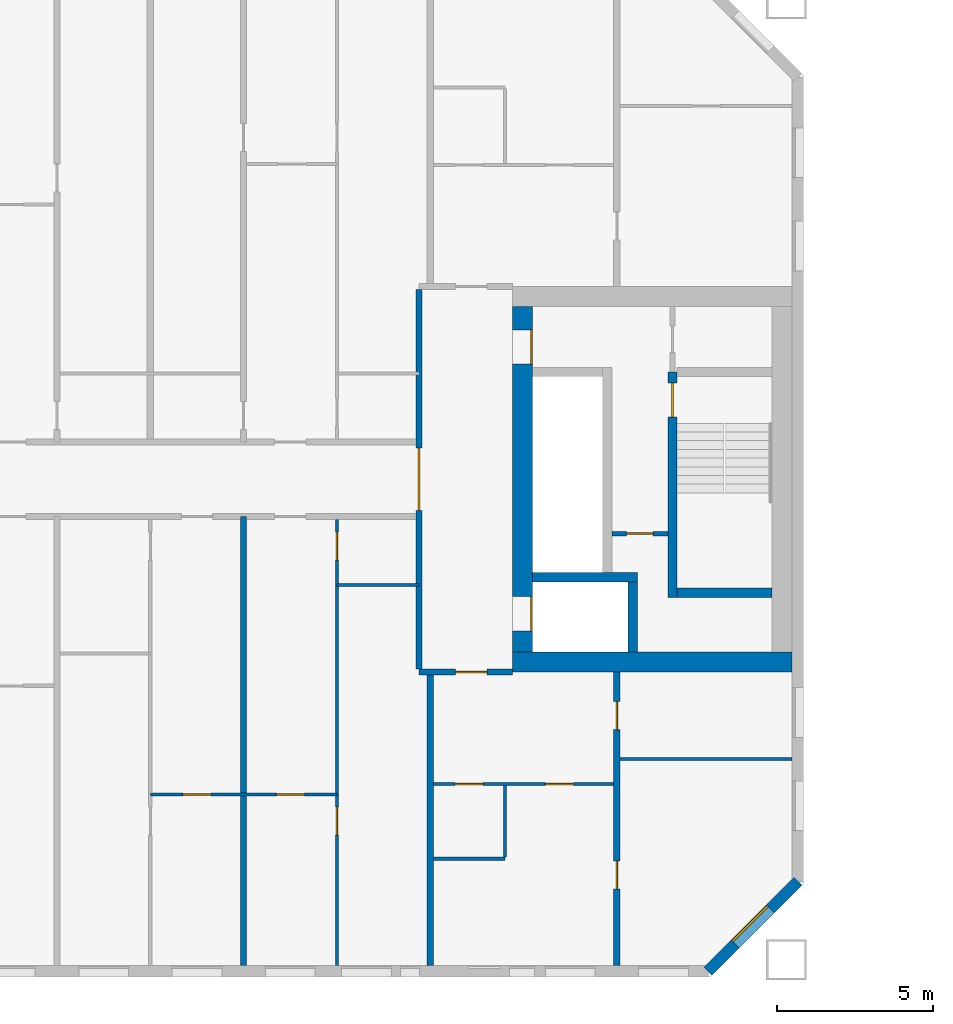
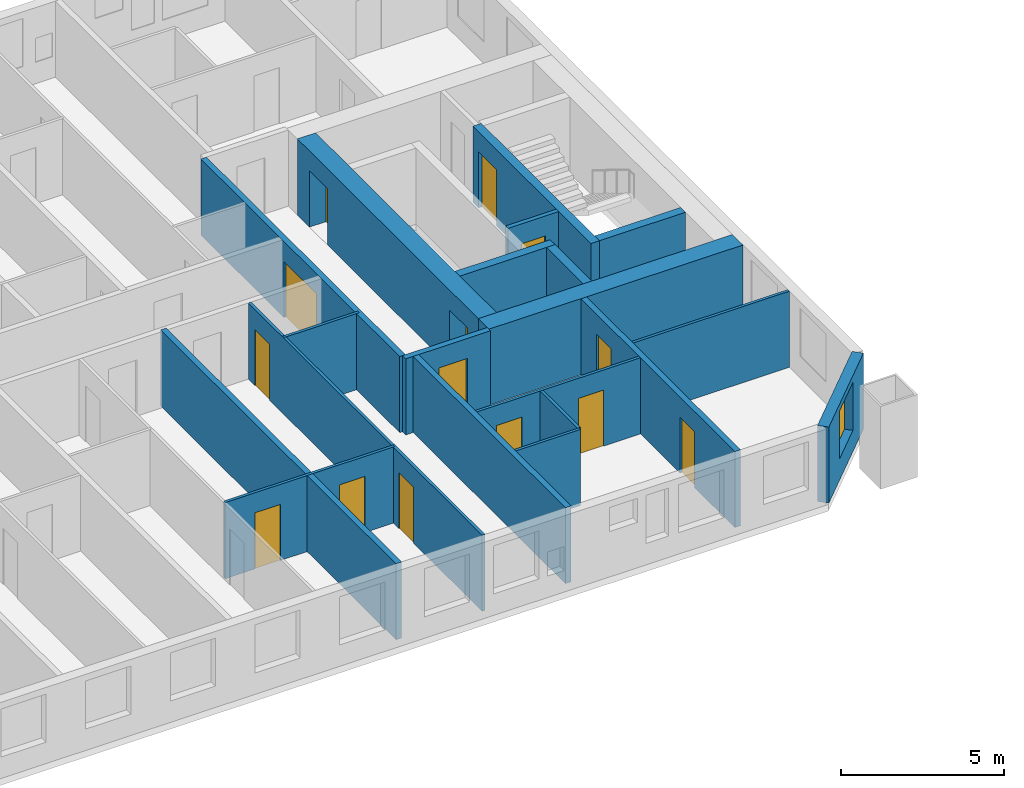
# One storey, part 7 of 17: 20 walls, 14 doors, 1 window, 15 openings.
"""IFC4 building model written with IfcOpenShell, lengths in metres."""

from ifc_helpers import new_model, si_unit, direction, frame, frame_2d, origin, place, context, subcontext, project, spatial, rectangle, extrude, material, layer, layer_set, type_object, element, fill, save


model = new_model("IFC4")

# Units and contexts
model_context = context("Model", 3, precision=1e-05, world=origin(), true_north=direction((0.0, 1.0)))
body_context = subcontext(model_context, "Body", "Model", "MODEL_VIEW")
ifc_project = project(units=[si_unit("LENGTHUNIT", "METRE"), si_unit("AREAUNIT", "SQUARE_METRE"), si_unit("VOLUMEUNIT", "CUBIC_METRE"), si_unit("PLANEANGLEUNIT", "RADIAN"), si_unit("MASSUNIT", "GRAM", prefix="KILO")], contexts=[model_context])

# Site, building, storey
site_placement = place(None, origin())
site = spatial("IfcSite", under=ifc_project, at=site_placement, CompositionType="ELEMENT")
building_placement = place(site_placement, origin())
building = spatial("IfcBuilding", under=site, at=building_placement, Name="Tuart Gate Housing", CompositionType="ELEMENT")
storey_placement = place(building_placement, frame((0.0, 0.0, 102.60009765625)))
storey = spatial("IfcBuildingStorey", under=building, at=storey_placement, Name="L28", CompositionType="ELEMENT", Elevation=102.60009765625)

# Wall, opening, window
ifc_material_1 = material(Name="Brick", Category="masonry")
ifc_layer_1 = layer(ifc_material_1, 0.360107421875)
ifc_layer_set_1 = layer_set([ifc_layer_1], Name="Brick pier and spandrel wall 360")
wall_type_1 = type_object("IfcWallType", Name="Brick pier and spandrel wall 360", PredefinedType="STANDARD", material=ifc_layer_set_1)
wall_1_placement = place(storey_placement, frame((72.92529296875, 54.179931640625, 0.0), z_axis=(0.0, 0.0, 1.0), x_axis=(0.707106781187, 0.707106781187, 0.0)))
wall_1 = element("IfcWall", 1, at=wall_1_placement, inside=storey, type_object=wall_type_1, Name="External wall A-SE L28", PredefinedType="STANDARD", context=body_context, shape_type="SweptSolid", body=[
    extrude(rectangle(XDim=4.09375, YDim=0.360107421875, at=frame_2d((2.046875, 0.0))), origin(), (0.0, 0.0, 1.0), 2.849853515625),
])
opening_1_placement = place(wall_1_placement, frame((1.2470703125, 0.0, 0.800048828125)))
opening_1 = element("IfcOpeningElement", 2, at=opening_1_placement, cuts=wall_1, Name="Opening W1", PredefinedType="OPENING", context=body_context, shape_type="SweptSolid", body=[
    extrude(rectangle(XDim=1.60009765625, YDim=1.800048828125, at=frame_2d((0.800048828125, 0.89990234375))), frame((0.0, 0.18994140625, 0.0), z_axis=(0.0, -1.0, 0.0), x_axis=(1.0, 0.0, 0.0)), (0.0, 0.0, 1.0), 0.380126953125),
])
ifc_material_2 = material(Name="Aluminium frame with clear glass", Category="aluminium")
window_type = type_object("IfcWindowType", Name="Punched window 1600 x 1800", PartitioningType="SINGLE_PANEL", PredefinedType="WINDOW", material=ifc_material_2)
window_placement = place(opening_1_placement, origin())
window = element("IfcWindow", 3, at=window_placement, inside=storey, type_object=window_type, Name="Window W1", OverallHeight=1.800048828125, OverallWidth=1.60009765625, PartitioningType="SINGLE_PANEL", PredefinedType="WINDOW", context=body_context, shape_type="SweptSolid", body=[
    extrude(rectangle(XDim=1.60009765625, YDim=1.800048828125, at=frame_2d((0.800048828125, 0.89990234375))), frame((0.0, 0.150146484375, 0.0), z_axis=(0.0, -1.0, 0.0), x_axis=(1.0, 0.0, 0.0)), (0.0, 0.0, 1.0), 0.06005859375),
])
fill(opening_1, window)

# Wall, opening, door
ifc_material_3 = material(Name="Plasterboard partition")
ifc_layer_2 = layer(ifc_material_3, 0.14990234375)
ifc_layer_set_2 = layer_set([ifc_layer_2], Name="Core partition 150")
wall_type_2 = type_object("IfcWallType", Name="Core partition 150", PredefinedType="PARTITIONING", material=ifc_layer_set_2)
wall_2_placement = place(storey_placement, frame((69.840087890625, 68.25, 0.0), z_axis=(0.0, 0.0, 1.0), x_axis=(1.0, 0.0, 0.0)))
wall_2 = element("IfcWall", 4, at=wall_2_placement, inside=storey, type_object=wall_type_2, Name="Core partition AG.3", PredefinedType="PARTITIONING", context=body_context, shape_type="SweptSolid", body=[
    extrude(rectangle(XDim=1.7998046875, YDim=0.14990234375, at=frame_2d((0.89990234375, 0.0))), origin(), (0.0, 0.0, 1.0), 2.849853515625),
])
opening_2_placement = place(wall_2_placement, frame((0.47509765625, 0.0, 0.0)))
opening_2 = element("IfcOpeningElement", 5, at=opening_2_placement, cuts=wall_2, Name="Opening D1102", PredefinedType="OPENING", context=body_context, shape_type="SweptSolid", body=[
    extrude(rectangle(XDim=0.85009765625, YDim=2.10009765625, at=frame_2d((0.425048828125, 1.050048828125))), frame((0.0, 0.0849609375, 0.0), z_axis=(0.0, -1.0, 0.0), x_axis=(1.0, 0.0, 0.0)), (0.0, 0.0, 1.0), 0.169921875),
])
ifc_material_4 = material(Name="Steel fire door", Category="steel")
door_type_1 = type_object("IfcDoorType", Name="Riser door 850 x 2100 RH", OperationType="SINGLE_SWING_RIGHT", PredefinedType="DOOR", material=ifc_material_4)
door_1_placement = place(opening_2_placement, frame((0.85009765625, 0.0, 0.0), z_axis=(0.0, 0.0, 1.0), x_axis=(-1.0, 0.0, 0.0)))
door_1 = element("IfcDoor", 6, at=door_1_placement, inside=storey, type_object=door_type_1, Name="Service room door AG.E1", OperationType="SINGLE_SWING_RIGHT", OverallHeight=2.10009765625, OverallWidth=0.85009765625, PredefinedType="DOOR", context=body_context, shape_type="SweptSolid", body=[
    extrude(rectangle(XDim=0.85009765625, YDim=2.10009765625, at=frame_2d((0.425048828125, 1.050048828125))), frame((0.0, 0.025146484375, 0.0), z_axis=(0.0, -1.0, 0.0), x_axis=(1.0, 0.0, 0.0)), (0.0, 0.0, 1.0), 0.050048828125),
])
fill(opening_2, door_1)

# Walls
ifc_material_5 = material(Name="Concrete C50", Category="concrete")
ifc_layer_3 = layer(ifc_material_5, 0.300048828125)
ifc_layer_set_3 = layer_set([ifc_layer_3], Name="Core wall 300 C50")
wall_type_3 = type_object("IfcWallType", Name="Core wall 300 C50", PredefinedType="SHEAR", material=ifc_layer_set_3)
wall_3_placement = place(storey_placement, frame((71.93994140625, 66.35009765625, 0.0), z_axis=(0.0, 0.0, 1.0), x_axis=(1.0, 0.0, 0.0)))
element("IfcWall", 7, at=wall_3_placement, inside=storey, type_object=wall_type_3, Name="Core wall AG.1", PredefinedType="SHEAR", context=body_context, shape_type="SweptSolid", body=[
    extrude(rectangle(XDim=3.050048828125, YDim=0.300048828125, at=frame_2d((1.52490234375, 0.0))), origin(), (0.0, 0.0, 1.0), 2.849853515625),
])
wall_4_placement = place(storey_placement, frame((67.2900390625, 66.85009765625, 0.0), z_axis=(0.0, 0.0, 1.0), x_axis=(1.0, 0.0, 0.0)))
element("IfcWall", 8, at=wall_4_placement, inside=storey, type_object=wall_type_3, Name="Core wall AG.2", PredefinedType="SHEAR", context=body_context, shape_type="SweptSolid", body=[
    extrude(rectangle(XDim=3.369873046875, YDim=0.300048828125, at=frame_2d((1.68505859375, 0.0))), origin(), (0.0, 0.0, 1.0), 2.849853515625),
])
wall_5_placement = place(storey_placement, frame((70.510009765625, 64.449951171875, 0.0), z_axis=(0.0, 0.0, 1.0), x_axis=(0.0, 1.0, 0.0)))
element("IfcWall", 9, at=wall_5_placement, inside=storey, type_object=wall_type_3, Name="Core wall AG.7", PredefinedType="SHEAR", context=body_context, shape_type="SweptSolid", body=[
    extrude(rectangle(XDim=2.25, YDim=0.300048828125, at=frame_2d((1.125, 0.0))), origin(), (0.0, 0.0, 1.0), 2.849853515625),
])

# Wall, opening, door
wall_6_placement = place(storey_placement, frame((71.7900390625, 66.199951171875, 0.0), z_axis=(0.0, 0.0, 1.0), x_axis=(0.0, 1.0, 0.0)))
wall_6 = element("IfcWall", 10, at=wall_6_placement, inside=storey, type_object=wall_type_3, Name="Core wall AG.8", PredefinedType="SHEAR", context=body_context, shape_type="SweptSolid", body=[
    extrude(rectangle(XDim=7.25, YDim=0.300048828125, at=frame_2d((3.625, 0.0))), origin(), (0.0, 0.0, 1.0), 2.849853515625),
])
opening_3_placement = place(wall_6_placement, frame((5.800048828125, 0.0, 0.0)))
opening_3 = element("IfcOpeningElement", 11, at=opening_3_placement, cuts=wall_6, Name="Opening D1098", PredefinedType="OPENING", context=body_context, shape_type="SweptSolid", body=[
    extrude(rectangle(XDim=1.10009765625, YDim=2.10009765625, at=frame_2d((0.550048828125, 1.050048828125))), frame((0.0, 0.159912109375, 0.0), z_axis=(0.0, -1.0, 0.0), x_axis=(1.0, 0.0, 0.0)), (0.0, 0.0, 1.0), 0.320068359375),
])
ifc_material_6 = material(Name="Steel fire door", Category="steel")
door_type_2 = type_object("IfcDoorType", Name="Stair door 1100 x 2100", OperationType="SINGLE_SWING_LEFT", PredefinedType="DOOR", material=ifc_material_6)
door_2_placement = place(opening_3_placement, frame((1.10009765625, 0.0, 0.0), z_axis=(0.0, 0.0, 1.0), x_axis=(-1.0, 0.0, 0.0)))
door_2 = element("IfcDoor", 12, at=door_2_placement, inside=storey, type_object=door_type_2, Name="Stair door AG.SD", OperationType="SINGLE_SWING_LEFT", OverallHeight=2.10009765625, OverallWidth=1.10009765625, PredefinedType="DOOR", context=body_context, shape_type="SweptSolid", body=[
    extrude(rectangle(XDim=1.10009765625, YDim=2.10009765625, at=frame_2d((0.550048828125, 1.050048828125))), frame((0.0, 0.025146484375, 0.0), z_axis=(0.0, -1.0, 0.0), x_axis=(1.0, 0.0, 0.0)), (0.0, 0.0, 1.0), 0.050048828125),
])
fill(opening_3, door_2)

# Wall, openings, doors
ifc_material_7 = material(Name="Concrete C50", Category="concrete")
ifc_layer_4 = layer(ifc_material_7, 0.64990234375)
ifc_layer_set_4 = layer_set([ifc_layer_4], Name="Core wall 650 C50")
wall_type_4 = type_object("IfcWallType", Name="Core wall 650 C50", PredefinedType="SHEAR", material=ifc_layer_set_4)
wall_7_placement = place(storey_placement, frame((66.965087890625, 64.449951171875, 0.0), z_axis=(0.0, 0.0, 1.0), x_axis=(0.0, 1.0, 0.0)))
wall_7 = element("IfcWall", 13, at=wall_7_placement, inside=storey, type_object=wall_type_4, Name="Core wall AG front", PredefinedType="SHEAR", context=body_context, shape_type="SweptSolid", body=[
    extrude(rectangle(XDim=11.10009765625, YDim=0.64990234375, at=frame_2d((5.550048828125, 0.0))), origin(), (0.0, 0.0, 1.0), 2.849853515625),
])
opening_4_placement = place(wall_7_placement, frame((0.675048828125, 0.0, 0.0)))
opening_4 = element("IfcOpeningElement", 14, at=opening_4_placement, cuts=wall_7, Name="Opening LD-FA1", PredefinedType="OPENING", context=body_context, shape_type="SweptSolid", body=[
    extrude(rectangle(XDim=1.10009765625, YDim=2.10009765625, at=frame_2d((0.550048828125, 1.050048828125))), frame((0.0, 0.3349609375, 0.0), z_axis=(0.0, -1.0, 0.0), x_axis=(1.0, 0.0, 0.0)), (0.0, 0.0, 1.0), 0.669921875),
])
opening_5_placement = place(wall_7_placement, frame((9.25, 0.0, 0.0)))
opening_5 = element("IfcOpeningElement", 15, at=opening_5_placement, cuts=wall_7, Name="Opening D1097", PredefinedType="OPENING", context=body_context, shape_type="SweptSolid", body=[
    extrude(rectangle(XDim=1.10009765625, YDim=2.10009765625, at=frame_2d((0.550048828125, 1.050048828125))), frame((0.0, 0.3349609375, 0.0), z_axis=(0.0, -1.0, 0.0), x_axis=(1.0, 0.0, 0.0)), (0.0, 0.0, 1.0), 0.669921875),
])
ifc_material_8 = material(Name="Stainless steel", Category="steel")
door_type_3 = type_object("IfcDoorType", Name="Landing door 1100 x 2100", OperationType="DOUBLE_DOOR_SLIDING", PredefinedType="DOOR", material=ifc_material_8)
door_3_placement = place(opening_4_placement, origin())
door_3 = element("IfcDoor", 16, at=door_3_placement, inside=storey, type_object=door_type_3, Name="Lift landing door FA1", OperationType="DOUBLE_DOOR_SLIDING", OverallHeight=2.10009765625, OverallWidth=1.10009765625, PredefinedType="DOOR", context=body_context, shape_type="SweptSolid", body=[
    extrude(rectangle(XDim=1.10009765625, YDim=2.10009765625, at=frame_2d((0.550048828125, 1.050048828125))), frame((0.0, -0.259765625, 0.0), z_axis=(0.0, -1.0, 0.0), x_axis=(1.0, 0.0, 0.0)), (0.0, 0.0, 1.0), 0.050048828125),
])
fill(opening_4, door_3)
ifc_material_9 = material(Name="Steel fire door", Category="steel")
door_type_4 = type_object("IfcDoorType", Name="Lobby door 1100 x 2100 RH", OperationType="SINGLE_SWING_RIGHT", PredefinedType="DOOR", material=ifc_material_9)
door_4_placement = place(opening_5_placement, frame((1.10009765625, 0.0, 0.0), z_axis=(0.0, 0.0, 1.0), x_axis=(-1.0, 0.0, 0.0)))
door_4 = element("IfcDoor", 17, at=door_4_placement, inside=storey, type_object=door_type_4, Name="Lobby entry door AG.EN", OperationType="SINGLE_SWING_RIGHT", OverallHeight=2.10009765625, OverallWidth=1.10009765625, PredefinedType="DOOR", context=body_context, shape_type="SweptSolid", body=[
    extrude(rectangle(XDim=1.10009765625, YDim=2.10009765625, at=frame_2d((0.550048828125, 1.050048828125))), frame((0.0, 0.309814453125, 0.0), z_axis=(0.0, -1.0, 0.0), x_axis=(1.0, 0.0, 0.0)), (0.0, 0.0, 1.0), 0.050048828125),
])
fill(opening_5, door_4)

# Wall
wall_8_placement = place(storey_placement, frame((66.639892578125, 64.125, 0.0), z_axis=(0.0, 0.0, 1.0), x_axis=(1.0, 0.0, 0.0)))
element("IfcWall", 18, at=wall_8_placement, inside=storey, type_object=wall_type_4, Name="Core wall AG south", PredefinedType="SHEAR", context=body_context, shape_type="SweptSolid", body=[
    extrude(rectangle(XDim=9.0, YDim=0.64990234375, at=frame_2d((4.5, 0.0))), origin(), (0.0, 0.0, 1.0), 2.849853515625),
])

# Wall, opening, door
ifc_material_10 = material(Name="Concrete masonry 15 MPa", Category="masonry")
ifc_layer_5 = layer(ifc_material_10, 0.199951171875)
ifc_layer_set_5 = layer_set([ifc_layer_5], Name="Enclosure wall masonry 200")
wall_type_5 = type_object("IfcWallType", Name="Enclosure wall masonry 200", PredefinedType="PARTITIONING", material=ifc_layer_set_5)
wall_9_placement = place(storey_placement, frame((63.639892578125, 63.800048828125, 0.0), z_axis=(0.0, 0.0, 1.0), x_axis=(1.0, 0.0, 0.0)))
wall_9 = element("IfcWall", 19, at=wall_9_placement, inside=storey, type_object=wall_type_5, Name="Enclosure wall masonry 200", PredefinedType="PARTITIONING", context=body_context, shape_type="SweptSolid", body=[
    extrude(rectangle(XDim=3.0, YDim=0.199951171875, at=frame_2d((1.5, 0.0))), origin(), (0.0, 0.0, 1.0), 2.849853515625),
])
opening_6_placement = place(wall_9_placement, frame((1.179931640625, 0.0, 0.0)))
opening_6 = element("IfcOpeningElement", 20, at=opening_6_placement, cuts=wall_9, Name="Opening D1105", PredefinedType="OPENING", context=body_context, shape_type="SweptSolid", body=[
    extrude(rectangle(XDim=1.0, YDim=2.10009765625, at=frame_2d((0.5, 1.050048828125))), frame((0.0, 0.10986328125, 0.0), z_axis=(0.0, -1.0, 0.0), x_axis=(1.0, 0.0, 0.0)), (0.0, 0.0, 1.0), 0.219970703125),
])
ifc_material_11 = material(Name="Timber door leaf in steel frame", Category="steel")
door_type_5 = type_object("IfcDoorType", Name="Flat entrance door 1000 RH", OperationType="SINGLE_SWING_RIGHT", PredefinedType="DOOR", material=ifc_material_11)
door_5_placement = place(opening_6_placement, frame((1.0, 0.0, 0.0), z_axis=(0.0, 0.0, 1.0), x_axis=(-1.0, 0.0, 0.0)))
door_5 = element("IfcDoor", 21, at=door_5_placement, inside=storey, type_object=door_type_5, Name="Flat entrance door", OperationType="SINGLE_SWING_RIGHT", OverallHeight=2.10009765625, OverallWidth=1.0, PredefinedType="DOOR", context=body_context, shape_type="SweptSolid", body=[
    extrude(rectangle(XDim=1.0, YDim=2.10009765625, at=frame_2d((0.5, 1.050048828125))), frame((0.0, 0.025146484375, 0.0), z_axis=(0.0, -1.0, 0.0), x_axis=(1.0, 0.0, 0.0)), (0.0, 0.0, 1.0), 0.050048828125),
])
fill(opening_6, door_5)

ifc_material_12 = material(Name="Plasterboard partition")
ifc_layer_6 = layer(ifc_material_12, 0.199951171875)
ifc_layer_set_6 = layer_set([ifc_layer_6], Name="Lobby wall 200")
wall_type_6 = type_object("IfcWallType", Name="Lobby wall 200", PredefinedType="PARTITIONING", material=ifc_layer_set_6)
wall_10_placement = place(storey_placement, frame((63.639892578125, 63.89990234375, 0.0), z_axis=(0.0, 0.0, 1.0), x_axis=(0.0, 1.0, 0.0)))
wall_10 = element("IfcWall", 22, at=wall_10_placement, inside=storey, type_object=wall_type_6, Name="Lift lobby wall AG", PredefinedType="PARTITIONING", context=body_context, shape_type="SweptSolid", body=[
    extrude(rectangle(XDim=12.2001953125, YDim=0.199951171875, at=frame_2d((6.10009765625, 0.0))), origin(), (0.0, 0.0, 1.0), 2.849853515625),
])
opening_7_placement = place(wall_10_placement, frame((5.10009765625, 0.0, 0.0)))
opening_7 = element("IfcOpeningElement", 23, at=opening_7_placement, cuts=wall_10, Name="Opening D1096", PredefinedType="OPENING", context=body_context, shape_type="SweptSolid", body=[
    extrude(rectangle(XDim=2.0, YDim=2.10009765625, at=frame_2d((1.0, 1.050048828125))), frame((0.0, 0.10986328125, 0.0), z_axis=(0.0, -1.0, 0.0), x_axis=(1.0, 0.0, 0.0)), (0.0, 0.0, 1.0), 0.219970703125),
])
ifc_material_13 = material(Name="Steel fire door", Category="steel")
door_type_6 = type_object("IfcDoorType", Name="Smoke door 2000 x 2100", OperationType="DOUBLE_DOOR_SINGLE_SWING", PredefinedType="DOOR", material=ifc_material_13)
door_6_placement = place(opening_7_placement, frame((2.0, 0.0, 0.0), z_axis=(0.0, 0.0, 1.0), x_axis=(-1.0, 0.0, 0.0)))
door_6 = element("IfcDoor", 24, at=door_6_placement, inside=storey, type_object=door_type_6, Name="Lift lobby smoke door AG", OperationType="DOUBLE_DOOR_SINGLE_SWING", OverallHeight=2.10009765625, OverallWidth=2.0, PredefinedType="DOOR", context=body_context, shape_type="SweptSolid", body=[
    extrude(rectangle(XDim=2.0, YDim=2.10009765625, at=frame_2d((1.0, 1.050048828125))), frame((0.0, 0.025146484375, 0.0), z_axis=(0.0, -1.0, 0.0), x_axis=(1.0, 0.0, 0.0)), (0.0, 0.0, 1.0), 0.050048828125),
])
fill(opening_7, door_6)

# Wall
ifc_material_14 = material(Name="Gypsum board on steel studs", Category="steel")
ifc_layer_7 = layer(ifc_material_14, 0.10009765625)
ifc_layer_set_7 = layer_set([ifc_layer_7], Name="Partition 100")
wall_type_7 = type_object("IfcWallType", Name="Partition 100", PredefinedType="PARTITIONING", material=ifc_layer_set_7)
wall_11_placement = place(storey_placement, frame((64.10009765625, 57.800048828125, 0.0), z_axis=(0.0, 0.0, 1.0), x_axis=(1.0, 0.0, 0.0)))
element("IfcWall", 25, at=wall_11_placement, inside=storey, type_object=wall_type_7, Name="Partition 100", PredefinedType="PARTITIONING", context=body_context, shape_type="SweptSolid", body=[
    extrude(rectangle(XDim=2.2998046875, YDim=0.10009765625, at=frame_2d((1.14990234375, 0.0))), origin(), (0.0, 0.0, 1.0), 2.849853515625),
])

# Wall, openings, doors
wall_12_placement = place(storey_placement, frame((55.0, 59.860107421875, 0.0), z_axis=(0.0, 0.0, 1.0), x_axis=(1.0, 0.0, 0.0)))
wall_12 = element("IfcWall", 26, at=wall_12_placement, inside=storey, type_object=wall_type_7, Name="Partition 100", PredefinedType="PARTITIONING", context=body_context, shape_type="SweptSolid", body=[
    extrude(rectangle(XDim=6.0, YDim=0.10009765625, at=frame_2d((3.0, 0.0))), origin(), (0.0, 0.0, 1.0), 2.849853515625),
])
opening_8_placement = place(wall_12_placement, frame((4.050048828125, 0.0, 0.0)))
opening_8 = element("IfcOpeningElement", 27, at=opening_8_placement, cuts=wall_12, Name="Opening D1119", PredefinedType="OPENING", context=body_context, shape_type="SweptSolid", body=[
    extrude(rectangle(XDim=0.89990234375, YDim=2.10009765625, at=frame_2d((0.449951171875, 1.050048828125))), frame((0.0, 0.06005859375, 0.0), z_axis=(0.0, -1.0, 0.0), x_axis=(1.0, 0.0, 0.0)), (0.0, 0.0, 1.0), 0.1201171875),
])
opening_9_placement = place(wall_12_placement, frame((1.050048828125, 0.0, 0.0)))
opening_9 = element("IfcOpeningElement", 28, at=opening_9_placement, cuts=wall_12, Name="Opening D1120", PredefinedType="OPENING", context=body_context, shape_type="SweptSolid", body=[
    extrude(rectangle(XDim=0.89990234375, YDim=2.10009765625, at=frame_2d((0.449951171875, 1.050048828125))), frame((0.0, 0.06005859375, 0.0), z_axis=(0.0, -1.0, 0.0), x_axis=(1.0, 0.0, 0.0)), (0.0, 0.0, 1.0), 0.1201171875),
])
ifc_material_15 = material(Name="Timber door leaf in steel frame", Category="steel")
door_type_7 = type_object("IfcDoorType", Name="Internal door 900", OperationType="SINGLE_SWING_LEFT", PredefinedType="DOOR", material=ifc_material_15)
door_7_placement = place(opening_8_placement, origin())
door_7 = element("IfcDoor", 29, at=door_7_placement, inside=storey, type_object=door_type_7, Name="Internal door", OperationType="SINGLE_SWING_LEFT", OverallHeight=2.10009765625, OverallWidth=0.89990234375, PredefinedType="DOOR", context=body_context, shape_type="SweptSolid", body=[
    extrude(rectangle(XDim=0.89990234375, YDim=2.10009765625, at=frame_2d((0.449951171875, 1.050048828125))), frame((0.0, 0.02490234375, 0.0), z_axis=(0.0, -1.0, 0.0), x_axis=(1.0, 0.0, 0.0)), (0.0, 0.0, 1.0), 0.050048828125),
])
fill(opening_8, door_7)
door_8_placement = place(opening_9_placement, origin())
door_8 = element("IfcDoor", 30, at=door_8_placement, inside=storey, type_object=door_type_7, Name="Internal door", OperationType="SINGLE_SWING_LEFT", OverallHeight=2.10009765625, OverallWidth=0.89990234375, PredefinedType="DOOR", context=body_context, shape_type="SweptSolid", body=[
    extrude(rectangle(XDim=0.89990234375, YDim=2.10009765625, at=frame_2d((0.449951171875, 1.050048828125))), frame((0.0, 0.02490234375, 0.0), z_axis=(0.0, -1.0, 0.0), x_axis=(1.0, 0.0, 0.0)), (0.0, 0.0, 1.0), 0.050048828125),
])
fill(opening_9, door_8)

wall_13_placement = place(storey_placement, frame((64.10009765625, 60.199951171875, 0.0), z_axis=(0.0, 0.0, 1.0), x_axis=(1.0, 0.0, 0.0)))
wall_13 = element("IfcWall", 31, at=wall_13_placement, inside=storey, type_object=wall_type_7, Name="Partition 100", PredefinedType="PARTITIONING", context=body_context, shape_type="SweptSolid", body=[
    extrude(rectangle(XDim=5.7998046875, YDim=0.10009765625, at=frame_2d((2.89990234375, 0.0))), origin(), (0.0, 0.0, 1.0), 2.849853515625),
])
opening_10_placement = place(wall_13_placement, frame((3.60009765625, 0.0, 0.0)))
opening_10 = element("IfcOpeningElement", 32, at=opening_10_placement, cuts=wall_13, Name="Opening D1117", PredefinedType="OPENING", context=body_context, shape_type="SweptSolid", body=[
    extrude(rectangle(XDim=0.89990234375, YDim=2.10009765625, at=frame_2d((0.449951171875, 1.050048828125))), frame((0.0, 0.06005859375, 0.0), z_axis=(0.0, -1.0, 0.0), x_axis=(1.0, 0.0, 0.0)), (0.0, 0.0, 1.0), 0.1201171875),
])
opening_11_placement = place(wall_13_placement, frame((0.699951171875, 0.0, 0.0)))
opening_11 = element("IfcOpeningElement", 33, at=opening_11_placement, cuts=wall_13, Name="Opening D1116", PredefinedType="OPENING", context=body_context, shape_type="SweptSolid", body=[
    extrude(rectangle(XDim=0.89990234375, YDim=2.10009765625, at=frame_2d((0.449951171875, 1.050048828125))), frame((0.0, 0.06005859375, 0.0), z_axis=(0.0, -1.0, 0.0), x_axis=(1.0, 0.0, 0.0)), (0.0, 0.0, 1.0), 0.1201171875),
])
ifc_material_16 = material(Name="Timber door leaf in steel frame", Category="steel")
door_type_8 = type_object("IfcDoorType", Name="Bathroom door 900", OperationType="SINGLE_SWING_LEFT", PredefinedType="DOOR", material=ifc_material_16)
door_9_placement = place(opening_11_placement, frame((0.89990234375, 0.0, 0.0), z_axis=(0.0, 0.0, 1.0), x_axis=(-1.0, 0.0, 0.0)))
door_9 = element("IfcDoor", 34, at=door_9_placement, inside=storey, type_object=door_type_8, Name="Bathroom door", OperationType="SINGLE_SWING_LEFT", OverallHeight=2.10009765625, OverallWidth=0.89990234375, PredefinedType="DOOR", context=body_context, shape_type="SweptSolid", body=[
    extrude(rectangle(XDim=0.89990234375, YDim=2.10009765625, at=frame_2d((0.449951171875, 1.050048828125))), frame((0.0, 0.025146484375, 0.0), z_axis=(0.0, -1.0, 0.0), x_axis=(1.0, 0.0, 0.0)), (0.0, 0.0, 1.0), 0.050048828125),
])
fill(opening_11, door_9)
ifc_material_17 = material(Name="Timber door leaf in steel frame", Category="steel")
door_type_9 = type_object("IfcDoorType", Name="Internal door 900 RH", OperationType="SINGLE_SWING_RIGHT", PredefinedType="DOOR", material=ifc_material_17)
door_10_placement = place(opening_10_placement, origin())
door_10 = element("IfcDoor", 35, at=door_10_placement, inside=storey, type_object=door_type_9, Name="Internal door", OperationType="SINGLE_SWING_RIGHT", OverallHeight=2.10009765625, OverallWidth=0.89990234375, PredefinedType="DOOR", context=body_context, shape_type="SweptSolid", body=[
    extrude(rectangle(XDim=0.89990234375, YDim=2.10009765625, at=frame_2d((0.449951171875, 1.050048828125))), frame((0.0, 0.02490234375, 0.0), z_axis=(0.0, -1.0, 0.0), x_axis=(1.0, 0.0, 0.0)), (0.0, 0.0, 1.0), 0.050048828125),
])
fill(opening_10, door_10)

# Walls
wall_14_placement = place(storey_placement, frame((70.10009765625, 61.0, 0.0), z_axis=(0.0, 0.0, 1.0), x_axis=(1.0, 0.0, 0.0)))
element("IfcWall", 36, at=wall_14_placement, inside=storey, type_object=wall_type_7, Name="Partition 100", PredefinedType="PARTITIONING", context=body_context, shape_type="SweptSolid", body=[
    extrude(rectangle(XDim=5.539794921875, YDim=0.10009765625, at=frame_2d((2.77001953125, 0.0))), origin(), (0.0, 0.0, 1.0), 2.849853515625),
])
wall_15_placement = place(storey_placement, frame((61.0, 66.60009765625, 0.0), z_axis=(0.0, 0.0, 1.0), x_axis=(1.0, 0.0, 0.0)))
element("IfcWall", 37, at=wall_15_placement, inside=storey, type_object=wall_type_7, Name="Partition 100", PredefinedType="PARTITIONING", context=body_context, shape_type="SweptSolid", body=[
    extrude(rectangle(XDim=2.639892578125, YDim=0.10009765625, at=frame_2d((1.31982421875, 0.0))), origin(), (0.0, 0.0, 1.0), 2.849853515625),
])

# Wall, openings, doors
wall_16_placement = place(storey_placement, frame((61.0, 54.360107421875, 0.0), z_axis=(0.0, 0.0, 1.0), x_axis=(0.0, 1.0, 0.0)))
wall_16 = element("IfcWall", 38, at=wall_16_placement, inside=storey, type_object=wall_type_7, Name="Partition 100", PredefinedType="PARTITIONING", context=body_context, shape_type="SweptSolid", body=[
    extrude(rectangle(XDim=14.33984375, YDim=0.10009765625, at=frame_2d((7.169921875, 0.0))), origin(), (0.0, 0.0, 1.0), 2.849853515625),
])
opening_12_placement = place(wall_16_placement, frame((4.199951171875, 0.0, 0.0)))
opening_12 = element("IfcOpeningElement", 39, at=opening_12_placement, cuts=wall_16, Name="Opening D1112", PredefinedType="OPENING", context=body_context, shape_type="SweptSolid", body=[
    extrude(rectangle(XDim=0.89990234375, YDim=2.10009765625, at=frame_2d((0.449951171875, 1.050048828125))), frame((0.0, 0.06005859375, 0.0), z_axis=(0.0, -1.0, 0.0), x_axis=(1.0, 0.0, 0.0)), (0.0, 0.0, 1.0), 0.1201171875),
])
opening_13_placement = place(wall_16_placement, frame((13.0400390625, 0.0, 0.0)))
opening_13 = element("IfcOpeningElement", 40, at=opening_13_placement, cuts=wall_16, Name="Opening D1111", PredefinedType="OPENING", context=body_context, shape_type="SweptSolid", body=[
    extrude(rectangle(XDim=0.89990234375, YDim=2.10009765625, at=frame_2d((0.449951171875, 1.050048828125))), frame((0.0, 0.06005859375, 0.0), z_axis=(0.0, -1.0, 0.0), x_axis=(1.0, 0.0, 0.0)), (0.0, 0.0, 1.0), 0.1201171875),
])
door_11_placement = place(opening_13_placement, frame((0.89990234375, 0.0, 0.0), z_axis=(0.0, 0.0, 1.0), x_axis=(-1.0, 0.0, 0.0)))
door_11 = element("IfcDoor", 41, at=door_11_placement, inside=storey, type_object=door_type_8, Name="Bathroom door", OperationType="SINGLE_SWING_LEFT", OverallHeight=2.10009765625, OverallWidth=0.89990234375, PredefinedType="DOOR", context=body_context, shape_type="SweptSolid", body=[
    extrude(rectangle(XDim=0.89990234375, YDim=2.10009765625, at=frame_2d((0.449951171875, 1.050048828125))), frame((0.0, 0.025146484375, 0.0), z_axis=(0.0, -1.0, 0.0), x_axis=(1.0, 0.0, 0.0)), (0.0, 0.0, 1.0), 0.050048828125),
])
fill(opening_13, door_11)
door_12_placement = place(opening_12_placement, frame((0.89990234375, 0.0, 0.0), z_axis=(0.0, 0.0, 1.0), x_axis=(-1.0, 0.0, 0.0)))
door_12 = element("IfcDoor", 42, at=door_12_placement, inside=storey, type_object=door_type_9, Name="Internal door", OperationType="SINGLE_SWING_RIGHT", OverallHeight=2.10009765625, OverallWidth=0.89990234375, PredefinedType="DOOR", context=body_context, shape_type="SweptSolid", body=[
    extrude(rectangle(XDim=0.89990234375, YDim=2.10009765625, at=frame_2d((0.449951171875, 1.050048828125))), frame((0.0, 0.025146484375, 0.0), z_axis=(0.0, -1.0, 0.0), x_axis=(1.0, 0.0, 0.0)), (0.0, 0.0, 1.0), 0.050048828125),
])
fill(opening_12, door_12)

# Walls
wall_17_placement = place(storey_placement, frame((66.39990234375, 57.85009765625, 0.0), z_axis=(0.0, 0.0, 1.0), x_axis=(0.0, 1.0, 0.0)))
element("IfcWall", 43, at=wall_17_placement, inside=storey, type_object=wall_type_7, Name="Partition 100", PredefinedType="PARTITIONING", context=body_context, shape_type="SweptSolid", body=[
    extrude(rectangle(XDim=2.2998046875, YDim=0.10009765625, at=frame_2d((1.14990234375, 0.0))), origin(), (0.0, 0.0, 1.0), 2.849853515625),
])
ifc_material_18 = material(Name="Concrete C40", Category="concrete")
ifc_layer_8 = layer(ifc_material_18, 0.199951171875)
ifc_layer_set_8 = layer_set([ifc_layer_8], Name="Party wall concrete C40 200")
wall_type_8 = type_object("IfcWallType", Name="Party wall concrete C40 200", PredefinedType="SOLIDWALL", material=ifc_layer_set_8)
wall_18_placement = place(storey_placement, frame((58.0, 54.360107421875, 0.0), z_axis=(0.0, 0.0, 1.0), x_axis=(0.0, 1.0, 0.0)))
element("IfcWall", 44, at=wall_18_placement, inside=storey, type_object=wall_type_8, Name="Party wall concrete C40 200", PredefinedType="SOLIDWALL", context=body_context, shape_type="SweptSolid", body=[
    extrude(rectangle(XDim=14.43994140625, YDim=0.199951171875, at=frame_2d((7.219970703125, 0.0))), origin(), (0.0, 0.0, 1.0), 2.849853515625),
])
wall_19_placement = place(storey_placement, frame((64.0, 54.360107421875, 0.0), z_axis=(0.0, 0.0, 1.0), x_axis=(0.0, 1.0, 0.0)))
element("IfcWall", 45, at=wall_19_placement, inside=storey, type_object=wall_type_8, Name="Party wall concrete C40 200", PredefinedType="SOLIDWALL", context=body_context, shape_type="SweptSolid", body=[
    extrude(rectangle(XDim=9.43994140625, YDim=0.199951171875, at=frame_2d((4.719970703125, 0.0))), origin(), (0.0, 0.0, 1.0), 2.849853515625),
])

# Wall, openings, doors
wall_20_placement = place(storey_placement, frame((70.0, 54.360107421875, 0.0), z_axis=(0.0, 0.0, 1.0), x_axis=(0.0, 1.0, 0.0)))
wall_20 = element("IfcWall", 46, at=wall_20_placement, inside=storey, type_object=wall_type_8, Name="Party wall concrete C40 200", PredefinedType="SOLIDWALL", context=body_context, shape_type="SweptSolid", body=[
    extrude(rectangle(XDim=9.43994140625, YDim=0.199951171875, at=frame_2d((4.719970703125, 0.0))), origin(), (0.0, 0.0, 1.0), 2.849853515625),
])
opening_14_placement = place(wall_20_placement, frame((2.469970703125, 0.0, 0.0)))
opening_14 = element("IfcOpeningElement", 47, at=opening_14_placement, cuts=wall_20, Name="Opening D1123", PredefinedType="OPENING", context=body_context, shape_type="SweptSolid", body=[
    extrude(rectangle(XDim=0.89990234375, YDim=2.10009765625, at=frame_2d((0.449951171875, 1.050048828125))), frame((0.0, 0.10986328125, 0.0), z_axis=(0.0, -1.0, 0.0), x_axis=(1.0, 0.0, 0.0)), (0.0, 0.0, 1.0), 0.219970703125),
])
opening_15_placement = place(wall_20_placement, frame((7.590087890625, 0.0, 0.0)))
opening_15 = element("IfcOpeningElement", 48, at=opening_15_placement, cuts=wall_20, Name="Opening D1124", PredefinedType="OPENING", context=body_context, shape_type="SweptSolid", body=[
    extrude(rectangle(XDim=0.89990234375, YDim=2.10009765625, at=frame_2d((0.449951171875, 1.050048828125))), frame((0.0, 0.10986328125, 0.0), z_axis=(0.0, -1.0, 0.0), x_axis=(1.0, 0.0, 0.0)), (0.0, 0.0, 1.0), 0.219970703125),
])
door_13_placement = place(opening_14_placement, frame((0.89990234375, 0.0, 0.0), z_axis=(0.0, 0.0, 1.0), x_axis=(-1.0, 0.0, 0.0)))
door_13 = element("IfcDoor", 49, at=door_13_placement, inside=storey, type_object=door_type_9, Name="Internal door", OperationType="SINGLE_SWING_RIGHT", OverallHeight=2.10009765625, OverallWidth=0.89990234375, PredefinedType="DOOR", context=body_context, shape_type="SweptSolid", body=[
    extrude(rectangle(XDim=0.89990234375, YDim=2.10009765625, at=frame_2d((0.449951171875, 1.050048828125))), frame((0.0, 0.025146484375, 0.0), z_axis=(0.0, -1.0, 0.0), x_axis=(1.0, 0.0, 0.0)), (0.0, 0.0, 1.0), 0.050048828125),
])
fill(opening_14, door_13)
door_14_placement = place(opening_15_placement, frame((0.89990234375, 0.0, 0.0), z_axis=(0.0, 0.0, 1.0), x_axis=(-1.0, 0.0, 0.0)))
door_14 = element("IfcDoor", 50, at=door_14_placement, inside=storey, type_object=door_type_9, Name="Internal door", OperationType="SINGLE_SWING_RIGHT", OverallHeight=2.10009765625, OverallWidth=0.89990234375, PredefinedType="DOOR", context=body_context, shape_type="SweptSolid", body=[
    extrude(rectangle(XDim=0.89990234375, YDim=2.10009765625, at=frame_2d((0.449951171875, 1.050048828125))), frame((0.0, 0.025146484375, 0.0), z_axis=(0.0, -1.0, 0.0), x_axis=(1.0, 0.0, 0.0)), (0.0, 0.0, 1.0), 0.050048828125),
])
fill(opening_15, door_14)

save(model, "model.ifc")
